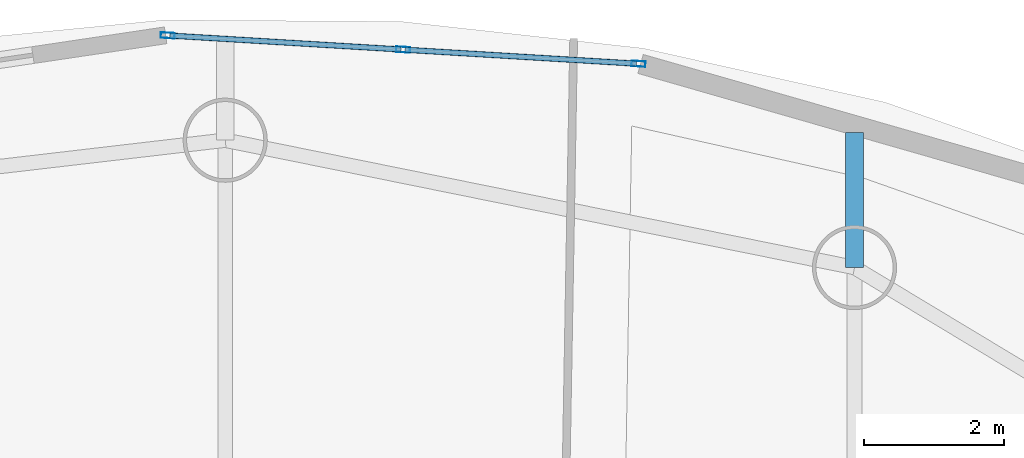
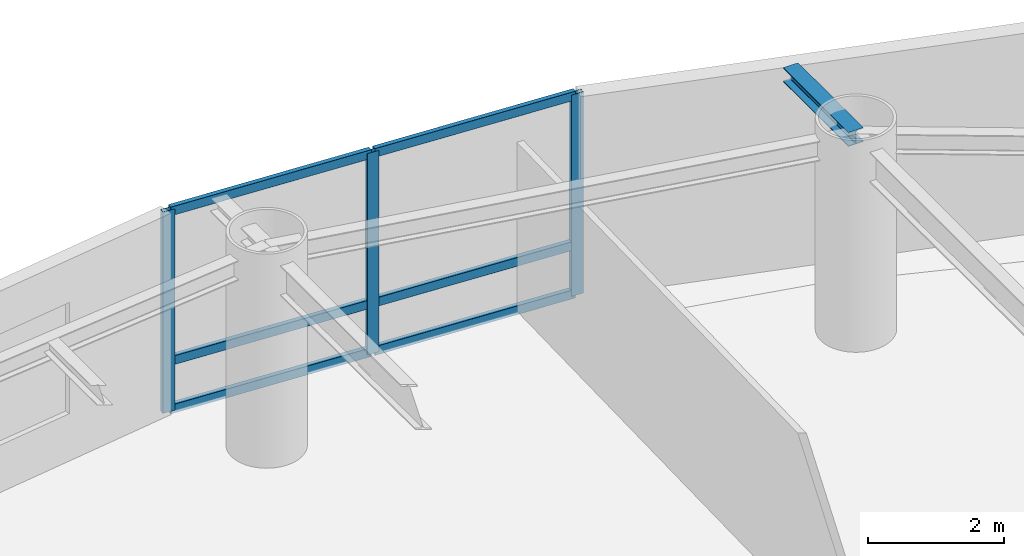
# One storey, part 11 of 18: 9 members, 1 beam, 1 element without a shape of its own.
"""IFC4 building model written with IfcOpenShell, lengths in metres."""

from ifc_helpers import new_model, si_unit, direction, frame, origin, origin_2d, place, context, subcontext, project, spatial, hollow_rectangle, i_section, extrude, material, layer, layer_set, material_profile, profile_set, type_object, element, aggregate, save


model = new_model("IFC4")

# Units and contexts
model_context = context("Model", 3, precision=1e-05, world=origin(), true_north=direction((0.0, 1.0)))
body_context = subcontext(model_context, "Body", "Model", "MODEL_VIEW")
ifc_project = project(units=[si_unit("LENGTHUNIT", "METRE"), si_unit("AREAUNIT", "SQUARE_METRE"), si_unit("VOLUMEUNIT", "CUBIC_METRE"), si_unit("PLANEANGLEUNIT", "RADIAN"), si_unit("MASSUNIT", "GRAM", prefix="KILO")], contexts=[model_context])

# Site, building, storey
site_placement = place(None, origin())
site = spatial("IfcSite", under=ifc_project, at=site_placement, CompositionType="ELEMENT")
building_placement = place(site_placement, origin())
building = spatial("IfcBuilding", under=site, at=building_placement, Name="Bramvorn Convention Spire", CompositionType="ELEMENT")
storey_placement = place(building_placement, frame((0.0, 0.0, 182.75)))
storey = spatial("IfcBuildingStorey", under=building, at=storey_placement, Name="L46", CompositionType="ELEMENT", Elevation=182.75)

# Beam
ifc_material_1 = material(Name="Steel CSA G40.21 Grade 350 (350W)", Category="steel")
ifc_material_profile_1 = material_profile(ifc_material_1, i_section(OverallWidth=0.25390625, OverallDepth=0.2529296875, WebThickness=0.008544921875, FlangeThickness=0.01416015625, FilletRadius=0.011962890625, at=origin_2d()))
ifc_profile_set_1 = profile_set([ifc_material_profile_1], Name="Steel CSA G40.21 Grade 350 (350W) - W250X73")
beam_type = type_object("IfcBeamType", Name="BM-W250X73", PredefinedType="BEAM", material=ifc_profile_set_1)
beam_placement = place(storey_placement, frame((42.38916015625, 44.772216796875, 3.493408203125), z_axis=(0.0, 1.0, 0.0), x_axis=(-1.0, 0.0, 0.0)))
element("IfcBeam", 1, at=beam_placement, inside=storey, type_object=beam_type, Name="L46 slab-edge cantilever tip beam MC06", PredefinedType="BEAM", context=body_context, shape_type="SweptSolid", body=[
    extrude(i_section(OverallWidth=0.25390625, OverallDepth=0.2529296875, WebThickness=0.008544921875, FlangeThickness=0.01416015625, FilletRadius=0.011962890625, at=origin_2d()), origin(), (0.0, 0.0, 1.0), 1.92578125),
])

# Curtain wall, members
ifc_material_2 = material(Name="Anodised Bronze Unitised Curtain Wall", Category="aluminium")
ifc_layer = layer(ifc_material_2, 0.179931640625)
ifc_layer_set = layer_set([ifc_layer], Name="Anodised Bronze Unitised Curtain Wall - CW-OFF-FRIT")
curtain_wall_type = type_object("IfcCurtainWallType", Name="CW-OFF-FRIT", PredefinedType="USERDEFINED", material=ifc_layer_set)
curtain_wall_placement = place(storey_placement, origin())
curtain_wall = element("IfcCurtainWall", 2, at=curtain_wall_placement, inside=storey, type_object=curtain_wall_type, Name="L46 fritted glass curtain wall 09", ObjectType="UNITISED CURTAIN WALL", PredefinedType="USERDEFINED")
ifc_material_3 = material(Name="Anodised Bronze Aluminium 6063-T6", Category="aluminium")
ifc_material_profile_2 = material_profile(ifc_material_3, hollow_rectangle(XDim=0.080078125, YDim=0.199951171875, WallThickness=0.00390625, InnerFilletRadius=0.0009765625, OuterFilletRadius=0.00390625, at=origin_2d()))
ifc_profile_set_2 = profile_set([ifc_material_profile_2], Name="Anodised Bronze Aluminium 6063-T6 - CWM80X200")
member_type_1 = type_object("IfcMemberType", Name="CW-MUL-180", PredefinedType="MULLION", material=ifc_profile_set_2)
member_1_placement = place(storey_placement, frame((32.5966796875, 48.08203125, 0.0), z_axis=(0.0, 0.0, 1.0), x_axis=(0.060122576056, 0.998191001687, 0.0)))
member_1 = element("IfcMember", 3, at=member_1_placement, type_object=member_type_1, Name="CW3 mullion 1", PredefinedType="MULLION", context=body_context, shape_type="SweptSolid", body=[
    extrude(hollow_rectangle(XDim=0.080078125, YDim=0.199951171875, WallThickness=0.00390625, InnerFilletRadius=0.0009765625, OuterFilletRadius=0.00390625, at=origin_2d()), origin(), (0.0, 0.0, 1.0), 3.6201171875),
])
member_2_placement = place(storey_placement, frame((35.952880859375, 47.8798828125, 0.0), z_axis=(0.0, 0.0, 1.0), x_axis=(0.060122576056, 0.998191001687, 0.0)))
member_2 = element("IfcMember", 4, at=member_2_placement, type_object=member_type_1, Name="CW3 mullion 2", PredefinedType="MULLION", context=body_context, shape_type="SweptSolid", body=[
    extrude(hollow_rectangle(XDim=0.080078125, YDim=0.199951171875, WallThickness=0.00390625, InnerFilletRadius=0.0009765625, OuterFilletRadius=0.00390625, at=origin_2d()), origin(), (0.0, 0.0, 1.0), 3.6201171875),
])
member_3_placement = place(storey_placement, frame((39.308837890625, 47.677734375, 0.0), z_axis=(0.0, 0.0, 1.0), x_axis=(0.060122576056, 0.998191001687, 0.0)))
member_3 = element("IfcMember", 5, at=member_3_placement, type_object=member_type_1, Name="CW3 mullion 3", PredefinedType="MULLION", context=body_context, shape_type="SweptSolid", body=[
    extrude(hollow_rectangle(XDim=0.080078125, YDim=0.199951171875, WallThickness=0.00390625, InnerFilletRadius=0.0009765625, OuterFilletRadius=0.00390625, at=origin_2d()), origin(), (0.0, 0.0, 1.0), 3.6201171875),
])
ifc_material_profile_3 = material_profile(ifc_material_3, hollow_rectangle(XDim=0.080078125, YDim=0.159912109375, WallThickness=0.00390625, InnerFilletRadius=0.0009765625, OuterFilletRadius=0.00390625, at=origin_2d()))
ifc_profile_set_3 = profile_set([ifc_material_profile_3], Name="Anodised Bronze Aluminium 6063-T6 - CWT80X160")
member_type_2 = type_object("IfcMemberType", Name="CW-TRN-150", PredefinedType="USERDEFINED", material=ifc_profile_set_3)
member_4_placement = place(storey_placement, frame((32.626708984375, 48.080322265625, 0.030029296875), z_axis=(0.998191826678, -0.060108877497, 0.0), x_axis=(0.060108877497, 0.998191826678, 0.0)))
member_4 = element("IfcMember", 6, at=member_4_placement, type_object=member_type_2, Name="CW3 transom 1.1", ObjectType="TRANSOM", PredefinedType="USERDEFINED", context=body_context, shape_type="SweptSolid", body=[
    extrude(hollow_rectangle(XDim=0.080078125, YDim=0.159912109375, WallThickness=0.00390625, InnerFilletRadius=0.0009765625, OuterFilletRadius=0.00390625, at=origin_2d()), origin(), (0.0, 0.0, 1.0), 3.302001953125),
])
member_5_placement = place(storey_placement, frame((32.626708984375, 48.080322265625, 0.89990234375), z_axis=(0.998191826678, -0.060108877497, 0.0), x_axis=(0.060108877497, 0.998191826678, 0.0)))
member_5 = element("IfcMember", 7, at=member_5_placement, type_object=member_type_2, Name="CW3 transom 1.2", ObjectType="TRANSOM", PredefinedType="USERDEFINED", context=body_context, shape_type="SweptSolid", body=[
    extrude(hollow_rectangle(XDim=0.080078125, YDim=0.159912109375, WallThickness=0.00390625, InnerFilletRadius=0.0009765625, OuterFilletRadius=0.00390625, at=origin_2d()), origin(), (0.0, 0.0, 1.0), 3.302001953125),
])
member_6_placement = place(storey_placement, frame((32.626708984375, 48.080322265625, 3.590087890625), z_axis=(0.998191826678, -0.060108877497, 0.0), x_axis=(0.060108877497, 0.998191826678, 0.0)))
member_6 = element("IfcMember", 8, at=member_6_placement, type_object=member_type_2, Name="CW3 transom 1.3", ObjectType="TRANSOM", PredefinedType="USERDEFINED", context=body_context, shape_type="SweptSolid", body=[
    extrude(hollow_rectangle(XDim=0.080078125, YDim=0.159912109375, WallThickness=0.00390625, InnerFilletRadius=0.0009765625, OuterFilletRadius=0.00390625, at=origin_2d()), origin(), (0.0, 0.0, 1.0), 3.302001953125),
])
member_7_placement = place(storey_placement, frame((35.982666015625, 47.878173828125, 0.030029296875), z_axis=(0.99819209378, -0.06010444173, 0.0), x_axis=(0.06010444173, 0.99819209378, 0.0)))
member_7 = element("IfcMember", 9, at=member_7_placement, type_object=member_type_2, Name="CW3 transom 2.1", ObjectType="TRANSOM", PredefinedType="USERDEFINED", context=body_context, shape_type="SweptSolid", body=[
    extrude(hollow_rectangle(XDim=0.080078125, YDim=0.159912109375, WallThickness=0.00390625, InnerFilletRadius=0.0009765625, OuterFilletRadius=0.00390625, at=origin_2d()), origin(), (0.0, 0.0, 1.0), 3.30224609375),
])
member_8_placement = place(storey_placement, frame((35.982666015625, 47.878173828125, 0.89990234375), z_axis=(0.99819209378, -0.06010444173, 0.0), x_axis=(0.06010444173, 0.99819209378, 0.0)))
member_8 = element("IfcMember", 10, at=member_8_placement, type_object=member_type_2, Name="CW3 transom 2.2", ObjectType="TRANSOM", PredefinedType="USERDEFINED", context=body_context, shape_type="SweptSolid", body=[
    extrude(hollow_rectangle(XDim=0.080078125, YDim=0.159912109375, WallThickness=0.00390625, InnerFilletRadius=0.0009765625, OuterFilletRadius=0.00390625, at=origin_2d()), origin(), (0.0, 0.0, 1.0), 3.30224609375),
])
member_9_placement = place(storey_placement, frame((35.982666015625, 47.878173828125, 3.590087890625), z_axis=(0.99819209378, -0.06010444173, 0.0), x_axis=(0.06010444173, 0.99819209378, 0.0)))
member_9 = element("IfcMember", 11, at=member_9_placement, type_object=member_type_2, Name="CW3 transom 2.3", ObjectType="TRANSOM", PredefinedType="USERDEFINED", context=body_context, shape_type="SweptSolid", body=[
    extrude(hollow_rectangle(XDim=0.080078125, YDim=0.159912109375, WallThickness=0.00390625, InnerFilletRadius=0.0009765625, OuterFilletRadius=0.00390625, at=origin_2d()), origin(), (0.0, 0.0, 1.0), 3.30224609375),
])
aggregate(curtain_wall, [member_1, member_2, member_3, member_4, member_5, member_6, member_7, member_8, member_9])

save(model, "model.ifc")
